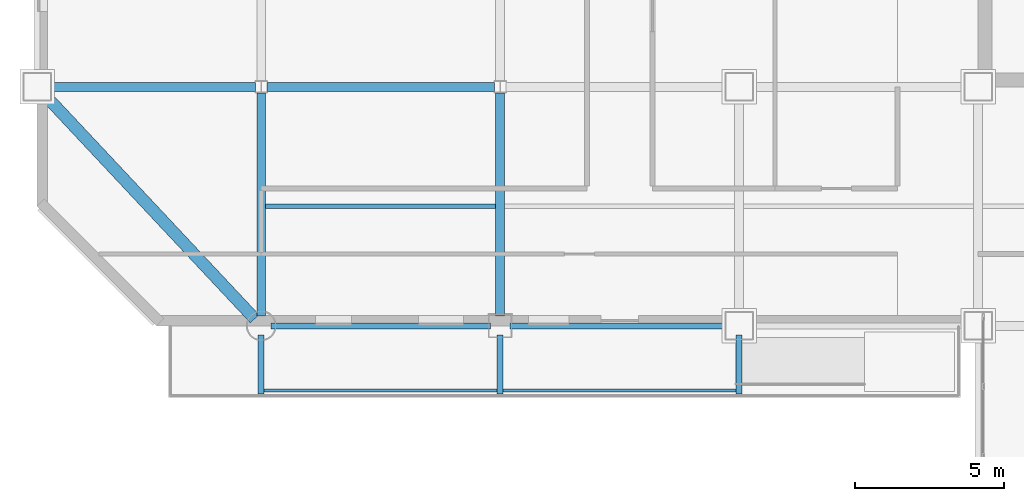
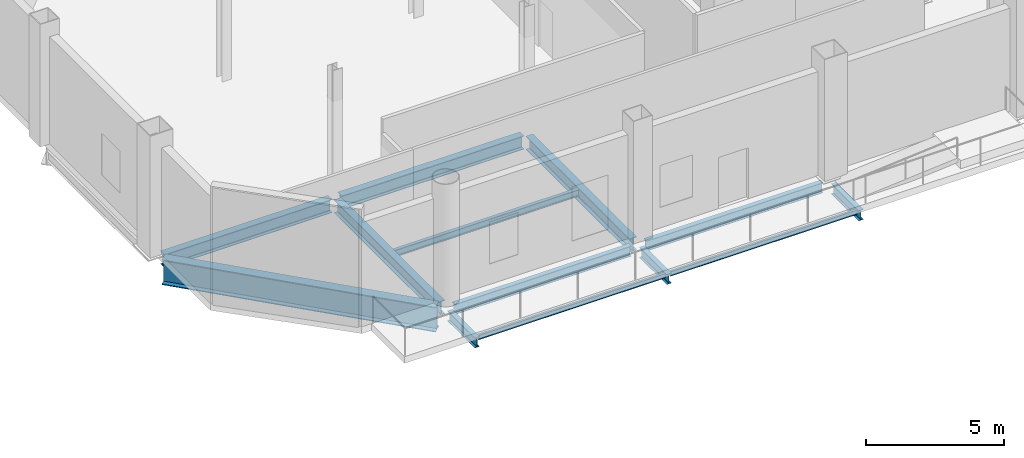
# One storey, part 6 of 21: 13 beams.
"""IFC4 building model written with IfcOpenShell, lengths in metres."""

import ifcopenshell
import ifcopenshell.guid

model = None  # the IFC model being written
_history = None  # IfcOwnerHistory: only IFC2X3 demands one
_inside = {}  # id of a spatial element -> (the spatial element, [elements in it])
_under = {}  # id of a project, library or spatial element -> (it, [spatial elements below it])
_declared = {}  # id of a project -> (the project, [libraries it declares])
_typed = {}  # id of a type object -> (the type object, [elements of that type])
_made_of = {}  # id of a material, layer set ... -> (it, [elements and type objects made of it])


def new_model(schema):
    """Start an empty IFC model of exactly this schema.

    Asked for "IFC4X3", IfcOpenShell would pick the latest addendum, in which some entities
    have other attributes; the version numbers below select the first issue.
    IFC2X3 requires an IfcOwnerHistory on every rooted entity: one is made here for all.
    """
    global model, _history
    if schema == "IFC4X3":
        model = ifcopenshell.file(schema_version=(4, 3, 0, 0))
    else:
        model = ifcopenshell.file(schema=schema)
    _inside.clear()
    _under.clear()
    _declared.clear()
    _typed.clear()
    _made_of.clear()
    _history = None
    if model.schema == "IFC2X3":
        org = make("IfcOrganization", Name="unknown")
        user = make(
            "IfcPersonAndOrganization",
            ThePerson=make("IfcPerson", FamilyName="unknown"),
            TheOrganization=org,
        )
        app = make(
            "IfcApplication",
            ApplicationDeveloper=org,
            Version="unknown",
            ApplicationFullName="unknown",
            ApplicationIdentifier="unknown",
        )
        _history = make(
            "IfcOwnerHistory",
            OwningUser=user,
            OwningApplication=app,
            ChangeAction="ADDED",
            CreationDate=0,
        )
    return model


def make(cls, **values):
    """One entity of the class cls with the attributes given. An attribute that is None is left unset."""
    return model.create_entity(
        cls, **{name: value for name, value in values.items() if value is not None}
    )


def rooted(cls, **values):
    """An entity with a GlobalId (a new one), such as an element, a storey or a relation."""
    return make(cls, GlobalId=ifcopenshell.guid.new(), OwnerHistory=_history, **values)


def si_unit(unit_type, name, prefix=None):
    """IfcSIUnit, for example si_unit("LENGTHUNIT", "METRE", prefix="MILLI")."""
    return make("IfcSIUnit", UnitType=unit_type, Prefix=prefix, Name=name)


def assignment(units):
    """IfcUnitAssignment: the units of a project."""
    return None if units is None else make("IfcUnitAssignment", Units=units)


def point(xyz):
    """IfcCartesianPoint."""
    return None if xyz is None else make("IfcCartesianPoint", Coordinates=xyz)


def direction(xyz):
    """IfcDirection."""
    return None if xyz is None else make("IfcDirection", DirectionRatios=xyz)


def frame(location, z_axis=None, x_axis=None):
    """IfcAxis2Placement3D, a coordinate frame: its origin and axes. An axis left out is left unset."""
    return make(
        "IfcAxis2Placement3D",
        Location=point(location),
        Axis=direction(z_axis),
        RefDirection=direction(x_axis),
    )


def frame_2d(location, x_axis=None):
    """IfcAxis2Placement2D, a coordinate frame in the plane: its origin and x axis."""
    return make(
        "IfcAxis2Placement2D", Location=point(location), RefDirection=direction(x_axis)
    )


def origin():
    """The frame at (0, 0, 0) with its axes left unset."""
    return frame((0.0, 0.0, 0.0))


def origin_2d():
    """The frame at (0, 0) in the plane with its x axis left unset."""
    return frame_2d((0.0, 0.0))


def place(relative_to, where):
    """IfcLocalPlacement: puts the frame where relative to a parent placement (None: the world)."""
    return make(
        "IfcLocalPlacement", PlacementRelTo=relative_to, RelativePlacement=where
    )


def context(
    kind, dimensions, precision=None, world=None, true_north=None, identifier=None
):
    """IfcGeometricRepresentationContext, for example the 3D "Model" context."""
    return make(
        "IfcGeometricRepresentationContext",
        ContextIdentifier=identifier,
        ContextType=kind,
        CoordinateSpaceDimension=dimensions,
        Precision=precision,
        WorldCoordinateSystem=world,
        TrueNorth=true_north,
    )


def subcontext(parent, identifier, kind, view, scale=None):
    """IfcGeometricRepresentationSubContext, for example "Body" below "Model"."""
    return make(
        "IfcGeometricRepresentationSubContext",
        ContextIdentifier=identifier,
        ContextType=kind,
        ParentContext=parent,
        TargetScale=scale,
        TargetView=view,
    )


def project(units=None, contexts=None):
    """IfcProject with its units and contexts."""
    return rooted(
        "IfcProject",
        Name="project",
        RepresentationContexts=contexts,
        UnitsInContext=assignment(units),
    )


def spatial(cls, under=None, at=None, **own):
    """A site, building, storey or space (cls), placed at a placement, below another one or the project."""
    s = rooted(cls, ObjectPlacement=at, **own)
    if under is not None:
        _under.setdefault(under.id(), (under, []))[1].append(s)
    return s


def profile(cls, at=None, kind="AREA", **sizes):
    """A parametric profile (cls). Its sizes go by their IFC names, for example OverallWidth=200.0."""
    return make(cls, ProfileType=kind, Position=at, **sizes)


def i_section(**sizes):
    """IfcIShapeProfileDef."""
    return profile("IfcIShapeProfileDef", **sizes)


def extrude(swept, where, along, depth):
    """IfcExtrudedAreaSolid: the profile swept, set in the frame where, extruded along a direction by depth."""
    return make(
        "IfcExtrudedAreaSolid",
        SweptArea=swept,
        Position=where,
        ExtrudedDirection=direction(along),
        Depth=depth,
    )


def shape(context_of_items, identifier, shape_type, items):
    """IfcShapeRepresentation: the items that make up one representation, for example the "Body"."""
    return make(
        "IfcShapeRepresentation",
        ContextOfItems=context_of_items,
        RepresentationIdentifier=identifier,
        RepresentationType=shape_type,
        Items=items,
    )


def material(Name=None, Category=None):
    """IfcMaterial."""
    return make("IfcMaterial", Name=Name, Category=Category)


def material_profile(
    of_material, cross_section, Name=None, Category=None, Priority=None
):
    """IfcMaterialProfile: a cross section and its material."""
    return make(
        "IfcMaterialProfile",
        Name=Name,
        Material=of_material,
        Profile=cross_section,
        Priority=Priority,
        Category=Category,
    )


def profile_set(profiles, Name=None, composite=None):
    """IfcMaterialProfileSet."""
    return make(
        "IfcMaterialProfileSet",
        Name=Name,
        MaterialProfiles=profiles,
        CompositeProfile=composite,
    )


def made_of(thing, what):
    """Note that an element or type object is made of a material, layer set ...; save() writes the relation."""
    if what is not None:
        _made_of.setdefault(what.id(), (what, []))[1].append(thing)
    return thing


def type_object(cls, material=None, **own):
    """A type object (cls), such as IfcWallType, which elements share."""
    return made_of(rooted(cls, **own), material)


def element(
    cls,
    number,
    at=None,
    inside=None,
    cuts=None,
    type_object=None,
    material=None,
    context=None,
    identifier="Body",
    shape_type=None,
    held_by="IfcProductDefinitionShape",
    body=None,
    shapes=None,
    **own,
):
    """One element of the class cls, such as IfcWall. Its Tag is "e" and its number.

    at: its placement. inside: the storey or other place that contains it. cuts: it is an
    opening in that element (IfcRelVoidsElement). A single representation is given by context,
    identifier, shape_type and body (its items); several are given by shapes. held_by: the class
    of the entity that holds the representations. save() writes the other relations.
    """
    e = rooted(cls, Tag="e%d" % number, ObjectPlacement=at, **own)
    if body is not None:
        shapes = [shape(context, identifier, shape_type, body)]
    if shapes is not None:
        e.Representation = make(held_by, Representations=shapes)
    if inside is not None:
        _inside.setdefault(inside.id(), (inside, []))[1].append(e)
    if cuts is not None:
        rooted(
            "IfcRelVoidsElement", RelatingBuildingElement=cuts, RelatedOpeningElement=e
        )
    if type_object is not None:
        _typed.setdefault(type_object.id(), (type_object, []))[1].append(e)
    return made_of(e, material)


def aggregate(whole, parts):
    """IfcRelAggregates: a whole, such as a stair, and the parts it consists of."""
    return rooted("IfcRelAggregates", RelatingObject=whole, RelatedObjects=parts)


def save(model, path):
    """Write the relations noted so far, then the file.

    IfcRelAggregates (storeys below a building ...), IfcRelContainedInSpatialStructure (elements
    in a storey), IfcRelDefinesByType, IfcRelAssociatesMaterial and IfcRelDeclares: one each for
    every whole, place, type object, material and project.
    """
    for whole, parts in _under.values():
        aggregate(whole, parts)
    for where, things in _inside.values():
        rooted(
            "IfcRelContainedInSpatialStructure",
            RelatedElements=things,
            RelatingStructure=where,
        )
    for kind, things in _typed.values():
        rooted("IfcRelDefinesByType", RelatedObjects=things, RelatingType=kind)
    for what, things in _made_of.values():
        rooted("IfcRelAssociatesMaterial", RelatedObjects=things, RelatingMaterial=what)
    for by, libraries in _declared.values():
        rooted("IfcRelDeclares", RelatingContext=by, RelatedDefinitions=libraries)
    model.write(path)


model = new_model("IFC4")

# Units and contexts
model_context = context("Model", 3, precision=1e-05, world=origin(), true_north=direction((0.0, 1.0)))
body_context = subcontext(model_context, "Body", "Model", "MODEL_VIEW")
ifc_project = project(units=[si_unit("LENGTHUNIT", "METRE"), si_unit("AREAUNIT", "SQUARE_METRE"), si_unit("VOLUMEUNIT", "CUBIC_METRE"), si_unit("PLANEANGLEUNIT", "RADIAN"), si_unit("MASSUNIT", "GRAM", prefix="KILO")], contexts=[model_context])

# Site, building, storey
site_placement = place(None, origin())
site = spatial("IfcSite", under=ifc_project, at=site_placement, CompositionType="ELEMENT")
building_placement = place(site_placement, origin())
building = spatial("IfcBuilding", under=site, at=building_placement, Name="Qianrong Seaharbour Tower", CompositionType="ELEMENT")
storey_placement = place(building_placement, frame((0.0, 0.0, 200.39990234375)))
storey = spatial("IfcBuildingStorey", under=building, at=storey_placement, Name="L48", CompositionType="ELEMENT", Elevation=200.39990234375)

# Beams
ifc_material_1 = material(Name="Structural steel SN490B", Category="steel")
ifc_material_profile_1 = material_profile(ifc_material_1, i_section(OverallWidth=0.300048828125, OverallDepth=0.587890625, WebThickness=0.011962890625, FlangeThickness=0.02001953125, FilletRadius=0.02392578125, at=origin_2d()), Name="H588x300x12x20")
ifc_profile_set_1 = profile_set([ifc_material_profile_1], Name="Structural steel SN490B")
beam_type_1 = type_object("IfcBeamType", Name="BM-G-588", PredefinedType="BEAM", material=ifc_profile_set_1)
beam_1_placement = place(storey_placement, frame((9.320068359375, 36.0, -0.593994140625), z_axis=(1.0, 0.0, 0.0), x_axis=(0.0, 1.0, 0.0)))
element("IfcBeam", 1, at=beam_1_placement, inside=storey, type_object=beam_type_1, Name="L48 Primary Girder GF G2-G3", PredefinedType="BEAM", context=body_context, shape_type="SweptSolid", body=[
    extrude(i_section(OverallWidth=0.300048828125, OverallDepth=0.587890625, WebThickness=0.011962890625, FlangeThickness=0.02001953125, FilletRadius=0.02392578125, at=origin_2d()), origin(), (0.0, 0.0, 1.0), 6.97998046875),
])
beam_2_placement = place(storey_placement, frame((16.699951171875, 36.0, -0.593994140625), z_axis=(1.0, 0.0, 0.0), x_axis=(0.0, 1.0, 0.0)))
element("IfcBeam", 2, at=beam_2_placement, inside=storey, type_object=beam_type_1, Name="L48 Primary Girder GF G3-G4", PredefinedType="BEAM", context=body_context, shape_type="SweptSolid", body=[
    extrude(i_section(OverallWidth=0.300048828125, OverallDepth=0.587890625, WebThickness=0.011962890625, FlangeThickness=0.02001953125, FilletRadius=0.02392578125, at=origin_2d()), origin(), (0.0, 0.0, 1.0), 7.60009765625),
])
for number, where, z_axis, x_axis, name in (
    (3, (16.5, 28.320068359375, -0.593994140625), (0.0, 1.0, 0.0), (-1.0, 0.0, 0.0), "L48 Primary Girder G3 GE-GF"),
    (4, (24.5, 28.320068359375, -0.593994140625), (0.0, 1.0, 0.0), (-1.0, 0.0, 0.0), "L48 Primary Girder G4 GE-GF"),
):
    element("IfcBeam", number, at=place(storey_placement, frame(where, z_axis=z_axis, x_axis=x_axis)), inside=storey, type_object=beam_type_1, Name=name, PredefinedType="BEAM", context=body_context, shape_type="SweptSolid", body=[
        extrude(i_section(OverallWidth=0.300048828125, OverallDepth=0.587890625, WebThickness=0.011962890625, FlangeThickness=0.02001953125, FilletRadius=0.02392578125, at=origin_2d()), origin(), (0.0, 0.0, 1.0), 7.47998046875),
    ])
ifc_material_2 = material(Name="Structural steel SN400B", Category="steel")
ifc_material_profile_2 = material_profile(ifc_material_2, i_section(OverallWidth=0.14990234375, OverallDepth=0.300048828125, WebThickness=0.006591796875, FlangeThickness=0.009033203125, FilletRadius=0.012939453125, at=origin_2d()), Name="H300x150x6.5x9")
ifc_profile_set_2 = profile_set([ifc_material_profile_2], Name="Structural steel SN400B")
beam_type_2 = type_object("IfcBeamType", Name="BM-J-300", PredefinedType="JOIST", material=ifc_profile_set_2)
beam_3_placement = place(storey_placement, frame((16.64990234375, 32.0, -0.449951171875), z_axis=(1.0, 0.0, 0.0), x_axis=(0.0, 1.0, 0.0)))
element("IfcBeam", 5, at=beam_3_placement, inside=storey, type_object=beam_type_2, Name="L48 Composite Floor Joist G3-G4/GE-GF", PredefinedType="JOIST", context=body_context, shape_type="SweptSolid", body=[
    extrude(i_section(OverallWidth=0.14990234375, OverallDepth=0.300048828125, WebThickness=0.006591796875, FlangeThickness=0.009033203125, FilletRadius=0.012939453125, at=origin_2d()), origin(), (0.0, 0.0, 1.0), 7.7001953125),
])
ifc_material_profile_3 = material_profile(ifc_material_2, i_section(OverallWidth=0.10009765625, OverallDepth=0.199951171875, WebThickness=0.005615234375, FlangeThickness=0.008056640625, FilletRadius=0.010986328125, at=origin_2d()), Name="H200x100x5.5x8")
ifc_profile_set_3 = profile_set([ifc_material_profile_3], Name="Structural steel SN400B")
beam_type_3 = type_object("IfcBeamType", Name="BM-PURLIN-200", PredefinedType="JOIST", material=ifc_profile_set_3)
for number, where, z_axis, x_axis, name in (
    (6, (16.60009765625, 25.840087890625, -0.39990234375), (1.0, 0.0, 0.0), (0.0, 1.0, 0.0), "L48 Harbourfront Ribbon Edge Beam G4"),
    (7, (24.60009765625, 25.840087890625, -0.39990234375), (1.0, 0.0, 0.0), (0.0, 1.0, 0.0), "L48 Harbourfront Ribbon Edge Beam G5"),
):
    element("IfcBeam", number, at=place(storey_placement, frame(where, z_axis=z_axis, x_axis=x_axis)), inside=storey, type_object=beam_type_3, Name=name, PredefinedType="JOIST", context=body_context, shape_type="SweptSolid", body=[
        extrude(i_section(OverallWidth=0.10009765625, OverallDepth=0.199951171875, WebThickness=0.005615234375, FlangeThickness=0.008056640625, FilletRadius=0.010986328125, at=origin_2d()), origin(), (0.0, 0.0, 1.0), 7.7998046875),
    ])
ifc_material_profile_4 = material_profile(ifc_material_1, i_section(OverallWidth=0.199951171875, OverallDepth=0.449951171875, WebThickness=0.009033203125, FlangeThickness=0.013916015625, FilletRadius=0.01806640625, at=origin_2d()), Name="H450x200x9x14")
ifc_profile_set_4 = profile_set([ifc_material_profile_4], Name="Structural steel SN490B")
beam_type_4 = type_object("IfcBeamType", Name="BM-RIB-450", PredefinedType="BEAM", material=ifc_profile_set_4)
for number, where, z_axis, x_axis, name in (
    (8, (16.5, 27.699951171875, -0.52490234375), (0.0, -1.0, 0.0), (1.0, 0.0, 0.0), "L48 Harbourfront Ribbon Cantilever Bracket G3"),
    (9, (24.5, 27.699951171875, -0.52490234375), (0.0, -1.0, 0.0), (1.0, 0.0, 0.0), "L48 Harbourfront Ribbon Cantilever Bracket G4"),
    (10, (32.5, 27.699951171875, -0.52490234375), (0.0, -1.0, 0.0), (1.0, 0.0, 0.0), "L48 Harbourfront Ribbon Cantilever Bracket G5"),
):
    element("IfcBeam", number, at=place(storey_placement, frame(where, z_axis=z_axis, x_axis=x_axis)), inside=storey, type_object=beam_type_4, Name=name, PredefinedType="BEAM", context=body_context, shape_type="SweptSolid", body=[
        extrude(i_section(OverallWidth=0.199951171875, OverallDepth=0.449951171875, WebThickness=0.009033203125, FlangeThickness=0.013916015625, FilletRadius=0.01806640625, at=origin_2d()), origin(), (0.0, 0.0, 1.0), 1.97998046875),
    ])
ifc_material_profile_5 = material_profile(ifc_material_2, i_section(OverallWidth=0.199951171875, OverallDepth=0.449951171875, WebThickness=0.009033203125, FlangeThickness=0.013916015625, FilletRadius=0.01806640625, at=origin_2d()), Name="H450x200x9x14")
ifc_profile_set_5 = profile_set([ifc_material_profile_5], Name="Structural steel SN400B")
beam_type_5 = type_object("IfcBeamType", Name="BM-SP-450", PredefinedType="SPANDREL", material=ifc_profile_set_5)
for number, where, z_axis, x_axis, name in (
    (11, (16.820068359375, 28.0, -0.52490234375), (1.0, 0.0, 0.0), (0.0, 1.0, 0.0), "L48 Spandrel Girder GE G3-G4"),
    (12, (24.820068359375, 28.0, -0.52490234375), (1.0, 0.0, 0.0), (0.0, 1.0, 0.0), "L48 Spandrel Girder GE G4-G5"),
):
    element("IfcBeam", number, at=place(storey_placement, frame(where, z_axis=z_axis, x_axis=x_axis)), inside=storey, type_object=beam_type_5, Name=name, PredefinedType="SPANDREL", context=body_context, shape_type="SweptSolid", body=[
        extrude(i_section(OverallWidth=0.199951171875, OverallDepth=0.449951171875, WebThickness=0.009033203125, FlangeThickness=0.013916015625, FilletRadius=0.01806640625, at=origin_2d()), origin(), (0.0, 0.0, 1.0), 7.35986328125),
    ])
ifc_material_profile_6 = material_profile(ifc_material_1, i_section(OverallWidth=0.39990234375, OverallDepth=1.10009765625, WebThickness=0.02001953125, FlangeThickness=0.035888671875, at=origin_2d()), Name="BH1100x400x20x36")
ifc_profile_set_6 = profile_set([ifc_material_profile_6], Name="Structural steel SN490B")
beam_type_6 = type_object("IfcBeamType", Name="BM-TG-1100", PredefinedType="BEAM", material=ifc_profile_set_6)
beam_4_placement = place(storey_placement, frame((16.28125, 28.2333984375, -0.849853515625), z_axis=(-0.683947420573, 0.729531305628, 0.0), x_axis=(-0.729531305628, -0.683947420573, 0.0)))
element("IfcBeam", 13, at=beam_4_placement, inside=storey, type_object=beam_type_6, Name="L48 Chamfer Corner Spandrel Girder G2/GE", PredefinedType="BEAM", context=body_context, shape_type="SweptSolid", body=[
    extrude(i_section(OverallWidth=0.39990234375, OverallDepth=1.10009765625, WebThickness=0.02001953125, FlangeThickness=0.035888671875, at=origin_2d()), origin(), (0.0, 0.0, 1.0), 10.326171875),
])

save(model, "model.ifc")
